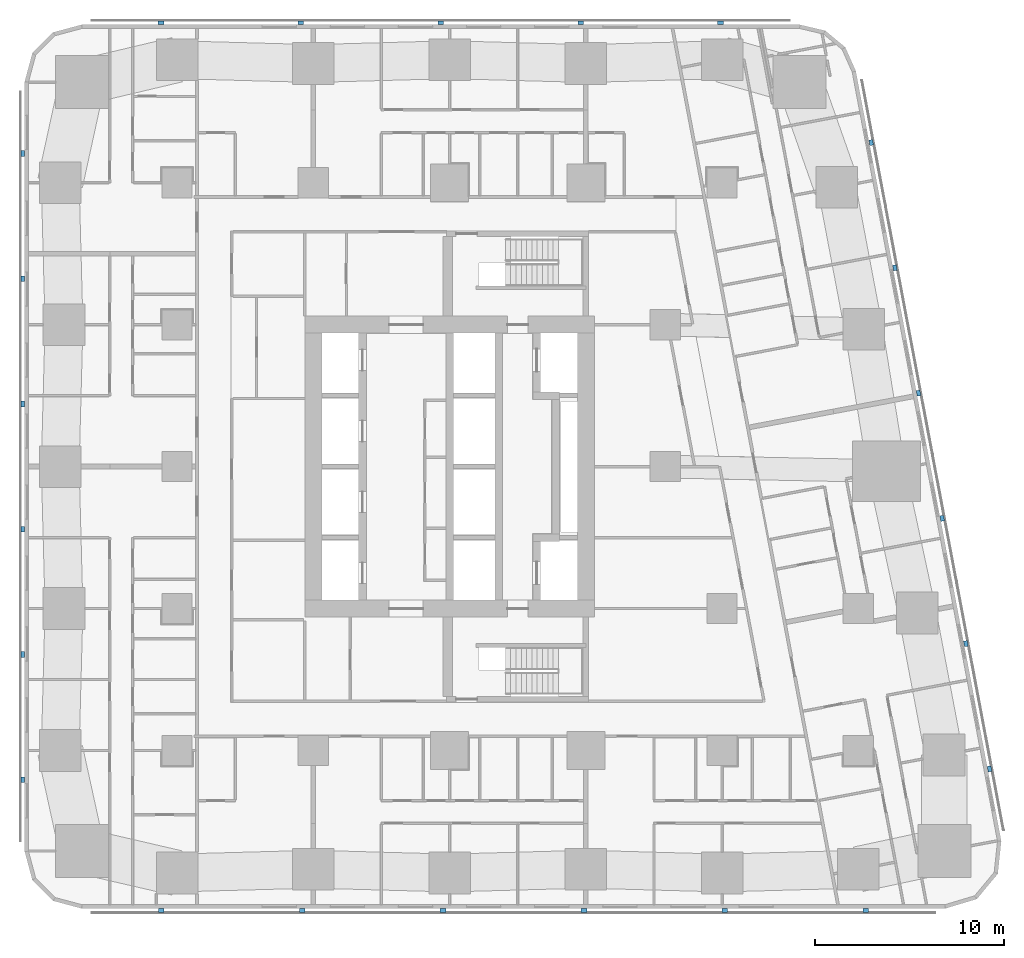
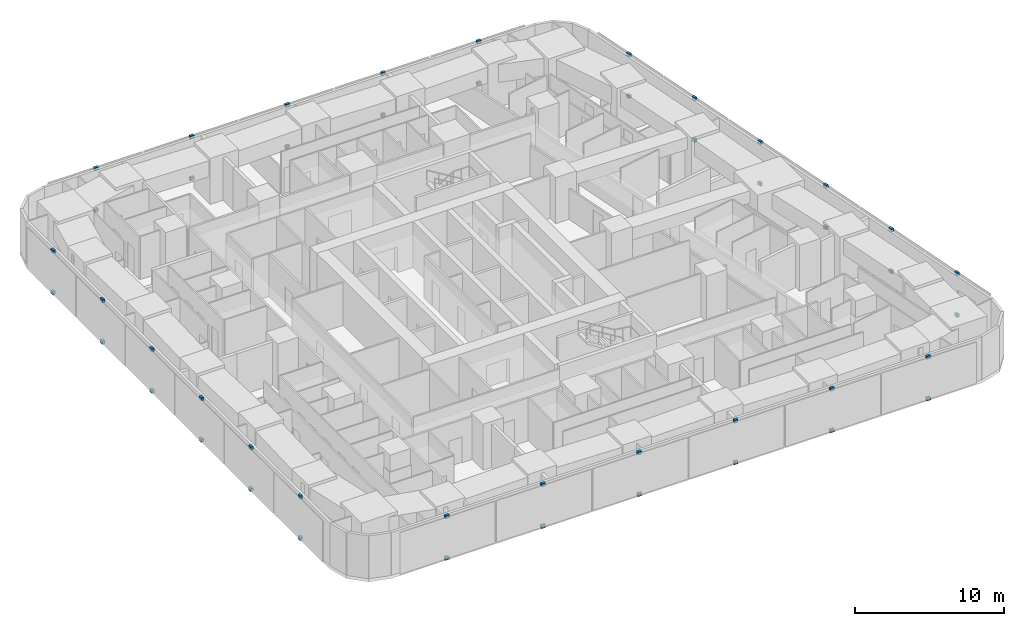
# One storey, part 11 of 15: 46 discrete accessories.
"""IFC4 building model written with IfcOpenShell, lengths in metres."""

from ifc_helpers import new_model, si_unit, direction, frame, origin, origin_2d, place, context, subcontext, project, spatial, rectangle, extrude, material, type_object, element, save


model = new_model("IFC4")

# Units and contexts
model_context = context("Model", 3, precision=1e-05, world=origin(), true_north=direction((0.0, 1.0)))
body_context = subcontext(model_context, "Body", "Model", "MODEL_VIEW")
ifc_project = project(units=[si_unit("LENGTHUNIT", "METRE"), si_unit("AREAUNIT", "SQUARE_METRE"), si_unit("VOLUMEUNIT", "CUBIC_METRE"), si_unit("PLANEANGLEUNIT", "RADIAN"), si_unit("MASSUNIT", "GRAM", prefix="KILO")], contexts=[model_context])

# Site, building, storey
site_placement = place(None, origin())
site = spatial("IfcSite", under=ifc_project, at=site_placement, CompositionType="ELEMENT")
building_placement = place(site_placement, origin())
building = spatial("IfcBuilding", under=site, at=building_placement, Name="Sheger Commons Tower", CompositionType="ELEMENT")
storey_placement = place(building_placement, frame((0.0, 0.0, 77.89990234375)))
storey = spatial("IfcBuildingStorey", under=building, at=storey_placement, Name="L19", CompositionType="ELEMENT", Elevation=77.89990234375)

# Discrete accessories
ifc_material = material(Name="Black painted steel bracket", Category="steel")
discrete_accessory_type = type_object("IfcDiscreteAccessoryType", Name="SCREEN BRACKET 300x200x250", PredefinedType="BRACKET", material=ifc_material)
for number, where, z_axis, x_axis, name in (
    (1, (6.37109375, -0.949951171875, -0.099853515625), (0.0, 0.0, 1.0), (1.0, 0.0, 0.0), "Solar screen foot bracket"),
    (2, (6.37109375, -0.949951171875, 3.300048828125), (0.0, 0.0, 1.0), (1.0, 0.0, 0.0), "Solar screen head bracket"),
    (3, (13.81396484375, -0.949951171875, -0.099853515625), (0.0, 0.0, 1.0), (1.0, 0.0, 0.0), "Solar screen foot bracket"),
    (4, (13.81396484375, -0.949951171875, 3.300048828125), (0.0, 0.0, 1.0), (1.0, 0.0, 0.0), "Solar screen head bracket"),
    (5, (21.257080078125, -0.949951171875, -0.099853515625), (0.0, 0.0, 1.0), (1.0, 0.0, 0.0), "Solar screen foot bracket"),
    (6, (21.257080078125, -0.949951171875, 3.300048828125), (0.0, 0.0, 1.0), (1.0, 0.0, 0.0), "Solar screen head bracket"),
    (7, (28.698974609375, -0.949951171875, -0.099853515625), (0.0, 0.0, 1.0), (1.0, 0.0, 0.0), "Solar screen foot bracket"),
    (8, (28.698974609375, -0.949951171875, 3.300048828125), (0.0, 0.0, 1.0), (1.0, 0.0, 0.0), "Solar screen head bracket"),
    (9, (36.14208984375, -0.949951171875, -0.099853515625), (0.0, 0.0, 1.0), (1.0, 0.0, 0.0), "Solar screen foot bracket"),
    (10, (36.14208984375, -0.949951171875, 3.300048828125), (0.0, 0.0, 1.0), (1.0, 0.0, 0.0), "Solar screen head bracket"),
    (11, (43.5849609375, -0.949951171875, -0.099853515625), (0.0, 0.0, 1.0), (1.0, 0.0, 0.0), "Solar screen foot bracket"),
    (12, (43.5849609375, -0.949951171875, 3.300048828125), (0.0, 0.0, 1.0), (1.0, 0.0, 0.0), "Solar screen head bracket"),
    (13, (50.134033203125, 6.527099609375, -0.099853515625), (0.0, 0.0, 1.0), (-0.185615165645, 0.982622516678, 0.0), "Solar screen foot bracket"),
    (14, (50.134033203125, 6.527099609375, 3.300048828125), (0.0, 0.0, 1.0), (-0.185615165645, 0.982622516678, 0.0), "Solar screen head bracket"),
    (15, (48.884033203125, 13.14599609375, -0.099853515625), (0.0, 0.0, 1.0), (-0.185615165645, 0.982622516678, 0.0), "Solar screen foot bracket"),
    (16, (48.884033203125, 13.14599609375, 3.300048828125), (0.0, 0.0, 1.0), (-0.185615165645, 0.982622516678, 0.0), "Solar screen head bracket"),
    (17, (47.633056640625, 19.76611328125, -0.099853515625), (0.0, 0.0, 1.0), (-0.185615165645, 0.982622516678, 0.0), "Solar screen foot bracket"),
    (18, (47.633056640625, 19.76611328125, 3.300048828125), (0.0, 0.0, 1.0), (-0.185615165645, 0.982622516678, 0.0), "Solar screen head bracket"),
    (19, (46.383056640625, 26.385009765625, -0.099853515625), (0.0, 0.0, 1.0), (-0.185615165645, 0.982622516678, 0.0), "Solar screen foot bracket"),
    (20, (46.383056640625, 26.385009765625, 3.300048828125), (0.0, 0.0, 1.0), (-0.185615165645, 0.982622516678, 0.0), "Solar screen head bracket"),
    (21, (45.133056640625, 33.0048828125, -0.099853515625), (0.0, 0.0, 1.0), (-0.185615165645, 0.982622516678, 0.0), "Solar screen foot bracket"),
    (22, (45.133056640625, 33.0048828125, 3.300048828125), (0.0, 0.0, 1.0), (-0.185615165645, 0.982622516678, 0.0), "Solar screen head bracket"),
    (23, (43.882080078125, 39.6240234375, -0.099853515625), (0.0, 0.0, 1.0), (-0.185615165645, 0.982622516678, 0.0), "Solar screen foot bracket"),
    (24, (43.882080078125, 39.6240234375, 3.300048828125), (0.0, 0.0, 1.0), (-0.185615165645, 0.982622516678, 0.0), "Solar screen head bracket"),
    (25, (35.9208984375, 45.949951171875, -0.099853515625), (0.0, 0.0, 1.0), (-1.0, 0.0, 0.0), "Solar screen foot bracket"),
    (26, (35.9208984375, 45.949951171875, 3.300048828125), (0.0, 0.0, 1.0), (-1.0, 0.0, 0.0), "Solar screen head bracket"),
    (27, (28.528076171875, 45.949951171875, -0.099853515625), (0.0, 0.0, 1.0), (-1.0, 0.0, 0.0), "Solar screen foot bracket"),
    (28, (28.528076171875, 45.949951171875, 3.300048828125), (0.0, 0.0, 1.0), (-1.0, 0.0, 0.0), "Solar screen head bracket"),
    (29, (21.134033203125, 45.949951171875, -0.099853515625), (0.0, 0.0, 1.0), (-1.0, 0.0, 0.0), "Solar screen foot bracket"),
    (30, (21.134033203125, 45.949951171875, 3.300048828125), (0.0, 0.0, 1.0), (-1.0, 0.0, 0.0), "Solar screen head bracket"),
    (31, (13.739990234375, 45.949951171875, -0.099853515625), (0.0, 0.0, 1.0), (-1.0, 0.0, 0.0), "Solar screen foot bracket"),
    (32, (13.739990234375, 45.949951171875, 3.300048828125), (0.0, 0.0, 1.0), (-1.0, 0.0, 0.0), "Solar screen head bracket"),
    (33, (6.346923828125, 45.949951171875, -0.099853515625), (0.0, 0.0, 1.0), (-1.0, 0.0, 0.0), "Solar screen foot bracket"),
    (34, (6.346923828125, 45.949951171875, 3.300048828125), (0.0, 0.0, 1.0), (-1.0, 0.0, 0.0), "Solar screen head bracket"),
    (35, (-0.949951171875, 39.0419921875, -0.099853515625), (0.0, 0.0, 1.0), (0.0, -1.0, 0.0), "Solar screen foot bracket"),
    (36, (-0.949951171875, 39.0419921875, 3.300048828125), (0.0, 0.0, 1.0), (0.0, -1.0, 0.0), "Solar screen head bracket"),
    (37, (-0.949951171875, 32.425048828125, -0.099853515625), (0.0, 0.0, 1.0), (0.0, -1.0, 0.0), "Solar screen foot bracket"),
    (38, (-0.949951171875, 32.425048828125, 3.300048828125), (0.0, 0.0, 1.0), (0.0, -1.0, 0.0), "Solar screen head bracket"),
    (39, (-0.949951171875, 25.80810546875, -0.099853515625), (0.0, 0.0, 1.0), (0.0, -1.0, 0.0), "Solar screen foot bracket"),
    (40, (-0.949951171875, 25.80810546875, 3.300048828125), (0.0, 0.0, 1.0), (0.0, -1.0, 0.0), "Solar screen head bracket"),
    (41, (-0.949951171875, 19.19189453125, -0.099853515625), (0.0, 0.0, 1.0), (0.0, -1.0, 0.0), "Solar screen foot bracket"),
    (42, (-0.949951171875, 19.19189453125, 3.300048828125), (0.0, 0.0, 1.0), (0.0, -1.0, 0.0), "Solar screen head bracket"),
    (43, (-0.949951171875, 12.574951171875, -0.099853515625), (0.0, 0.0, 1.0), (0.0, -1.0, 0.0), "Solar screen foot bracket"),
    (44, (-0.949951171875, 12.574951171875, 3.300048828125), (0.0, 0.0, 1.0), (0.0, -1.0, 0.0), "Solar screen head bracket"),
    (45, (-0.949951171875, 5.9580078125, -0.099853515625), (0.0, 0.0, 1.0), (0.0, -1.0, 0.0), "Solar screen foot bracket"),
    (46, (-0.949951171875, 5.9580078125, 3.300048828125), (0.0, 0.0, 1.0), (0.0, -1.0, 0.0), "Solar screen head bracket"),
):
    element("IfcDiscreteAccessory", number, at=place(storey_placement, frame(where, z_axis=z_axis, x_axis=x_axis)), inside=storey, type_object=discrete_accessory_type, Name=name, PredefinedType="BRACKET", context=body_context, shape_type="SweptSolid", body=[
        extrude(rectangle(XDim=0.300048828125, YDim=0.199951171875, at=origin_2d()), origin(), (0.0, 0.0, 1.0), 0.25),
    ])

save(model, "model.ifc")
